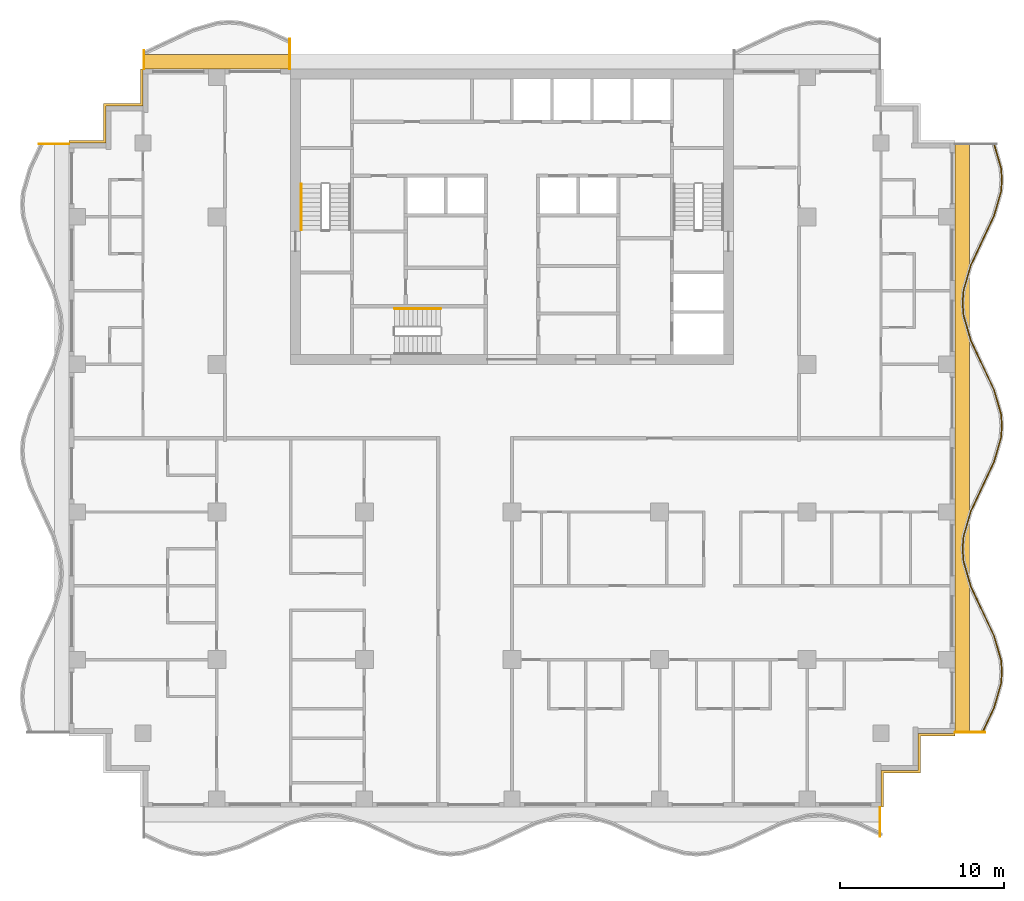
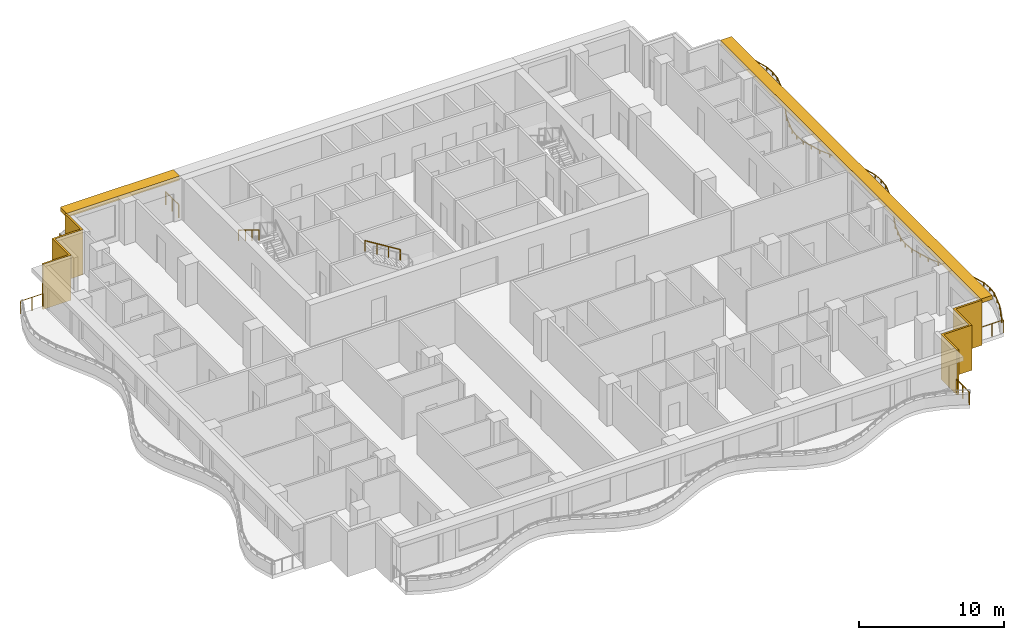
# One storey, part 11 of 12: 8 railings, 4 shading devices.
"""IFC4 building model written with IfcOpenShell, lengths in metres."""

from ifc_helpers import new_model, si_unit, direction, frame, origin, origin_2d, place, context, subcontext, project, spatial, polyline, rectangle, circle, outline, extrude, material, layer, layer_set, type_object, element, save


model = new_model("IFC4")

# Units and contexts
model_context = context("Model", 3, precision=1e-05, world=origin(), true_north=direction((0.0, 1.0)))
body_context = subcontext(model_context, "Body", "Model", "MODEL_VIEW")
ifc_project = project(units=[si_unit("LENGTHUNIT", "METRE"), si_unit("AREAUNIT", "SQUARE_METRE"), si_unit("VOLUMEUNIT", "CUBIC_METRE"), si_unit("PLANEANGLEUNIT", "RADIAN"), si_unit("MASSUNIT", "GRAM", prefix="KILO")], contexts=[model_context])

# Site, building, storey
site_placement = place(None, origin())
site = spatial("IfcSite", under=ifc_project, at=site_placement, CompositionType="ELEMENT")
building_placement = place(site_placement, origin())
building = spatial("IfcBuilding", under=site, at=building_placement, Name="Orbiselva Terraces", CompositionType="ELEMENT")
storey_placement = place(building_placement, frame((0.0, 0.0, 211.0)))
storey = spatial("IfcBuildingStorey", under=building, at=storey_placement, Name="L53", CompositionType="ELEMENT", Elevation=211.0)

# Railings
ifc_material_1 = material(Name="Stainless steel", Category="steel")
railing_type_1 = type_object("IfcRailingType", Name="CORE-HANDRAIL-900", PredefinedType="HANDRAIL", material=ifc_material_1)
railing_1_placement = place(storey_placement, frame((-12.85, 15.5, 2.072727)))
element("IfcRailing", 1, at=railing_1_placement, inside=storey, type_object=railing_type_1, Name="L53 S1 stair handrail 2", PredefinedType="HANDRAIL", context=body_context, shape_type="SweptSolid", body=[
    extrude(circle(Radius=0.024, at=origin_2d()), frame((0.0, 0.0, 0.876), z_axis=(0.0, -0.851088519012, 0.52502222125), x_axis=(1.0, 0.0, 0.0)), (0.0, 0.0, 1.0), 3.289905),
    extrude(circle(Radius=0.021, at=origin_2d()), origin(), (0.0, 0.0, 1.0), 0.852),
    extrude(circle(Radius=0.021, at=origin_2d()), frame((0.0, -0.933333, 0.575758)), (0.0, 0.0, 1.0), 0.852),
    extrude(circle(Radius=0.021, at=origin_2d()), frame((0.0, -1.866667, 1.151515)), (0.0, 0.0, 1.0), 0.852),
    extrude(circle(Radius=0.021, at=origin_2d()), frame((0.0, -2.8, 1.727273)), (0.0, 0.0, 1.0), 0.852),
])
railing_2_placement = place(storey_placement, frame((-4.35, 7.9, 2.072727)))
element("IfcRailing", 2, at=railing_2_placement, inside=storey, type_object=railing_type_1, Name="L53 S3 stair handrail 2", PredefinedType="HANDRAIL", context=body_context, shape_type="SweptSolid", body=[
    extrude(circle(Radius=0.024, at=origin_2d()), frame((0.0, 0.0, 0.876), z_axis=(-0.851088519012, 0.0, 0.52502222125), x_axis=(0.0, -1.0, 0.0)), (0.0, 0.0, 1.0), 3.289905),
    extrude(circle(Radius=0.021, at=origin_2d()), origin(), (0.0, 0.0, 1.0), 0.852),
    extrude(circle(Radius=0.021, at=origin_2d()), frame((-0.933333, 0.0, 0.575758)), (0.0, 0.0, 1.0), 0.852),
    extrude(circle(Radius=0.021, at=origin_2d()), frame((-1.866667, 0.0, 1.151515)), (0.0, 0.0, 1.0), 0.852),
    extrude(circle(Radius=0.021, at=origin_2d()), frame((-2.8, 0.0, 1.727273)), (0.0, 0.0, 1.0), 0.852),
])
ifc_material_2 = material(Name="Bonded two-ply safety glass balustrade, stainless steel posts", Category="steel")
railing_type_2 = type_object("IfcRailingType", Name="ENV-BALUSTRADE-1200", PredefinedType="BALUSTRADE", material=ifc_material_2)
railing_3_placement = place(storey_placement, frame((28.686882, -17.946809, 0.9)))
element("IfcRailing", 3, at=railing_3_placement, inside=storey, type_object=railing_type_2, Name="Balcony balustrade L53 E", PredefinedType="BALUSTRADE", context=body_context, shape_type="SweptSolid", body=[
    extrude(outline(polyline([(0.028868, 0.0), (0.014434, 0.025), (-0.014434, 0.025), (-0.028868, 0.0), (-0.014434, -0.025), (0.014434, -0.025), (0.028868, 0.0)])), frame((0.0, 0.0, 0.275), z_axis=(0.425529912322, 0.904944359461, 0.0), x_axis=(-0.904944359461, 0.425529912322, 0.0)), (0.0, 0.0, 1.0), 1.647746),
    extrude(outline(polyline([(0.028868, 0.0), (0.014434, 0.025), (-0.014434, 0.025), (-0.028868, 0.0), (-0.014434, -0.025), (0.014434, -0.025), (0.028868, 0.0)])), frame((0.701165, 1.491118, 0.275), z_axis=(0.279071528957, 0.960270317007, 0.0), x_axis=(-0.960270317007, 0.279071528957, 0.0)), (0.0, 0.0, 1.0), 1.539408),
    extrude(outline(polyline([(0.028868, 0.0), (0.014434, 0.025), (-0.014434, 0.025), (-0.028868, 0.0), (-0.014434, -0.025), (0.014434, -0.025), (0.028868, 0.0)])), frame((1.13077, 2.969366, 0.275), z_axis=(0.078069536776, 0.996947916106, 0.0), x_axis=(-0.996947916106, 0.078069536776, 0.0)), (0.0, 0.0, 1.0), 0.72967),
    extrude(outline(polyline([(0.028868, 0.0), (0.014434, 0.025), (-0.014434, 0.025), (-0.028868, 0.0), (-0.014434, -0.025), (0.014434, -0.025), (0.028868, 0.0)])), frame((1.187735, 3.696809, 0.275), z_axis=(-0.078069536776, 0.996947916106, 0.0), x_axis=(-0.996947916106, -0.078069536776, 0.0)), (0.0, 0.0, 1.0), 0.72967),
    extrude(outline(polyline([(0.028868, 0.0), (0.014434, 0.025), (-0.014434, 0.025), (-0.028868, 0.0), (-0.014434, -0.025), (0.014434, -0.025), (0.028868, 0.0)])), frame((1.13077, 4.424252, 0.275), z_axis=(-0.279071528957, 0.960270317007, 0.0), x_axis=(-0.960270317007, -0.279071528957, 0.0)), (0.0, 0.0, 1.0), 1.539408),
    extrude(outline(polyline([(0.028868, 0.0), (0.014434, 0.025), (-0.014434, 0.025), (-0.028868, 0.0), (-0.014434, -0.025), (0.014434, -0.025), (0.028868, 0.0)])), frame((0.701165, 5.9025, 0.275), z_axis=(-0.425529912322, 0.904944359461, 0.0), x_axis=(-0.904944359461, -0.425529912322, 0.0)), (0.0, 0.0, 1.0), 1.647746),
    extrude(outline(polyline([(0.028868, 0.0), (0.014434, 0.025), (-0.014434, 0.025), (-0.028868, 0.0), (-0.014434, -0.025), (0.014434, -0.025), (0.028868, 0.0)])), frame((0.0, 7.393618, 0.275), z_axis=(-0.425530342069, 0.904944157382, 0.0), x_axis=(-0.904944157382, -0.425530342069, 0.0)), (0.0, 0.0, 1.0), 1.667376),
    extrude(outline(polyline([(0.028868, 0.0), (0.014434, 0.025), (-0.014434, 0.025), (-0.028868, 0.0), (-0.014434, -0.025), (0.014434, -0.025), (0.028868, 0.0)])), frame((-0.709519, 8.9025, 0.275), z_axis=(-0.279070928786, 0.960270491427, 0.0), x_axis=(-0.960270491427, -0.279070928786, 0.0)), (0.0, 0.0, 1.0), 1.584712),
    extrude(outline(polyline([(0.028868, 0.0), (0.014434, 0.025), (-0.014434, 0.025), (-0.028868, 0.0), (-0.014434, -0.025), (0.014434, -0.025), (0.028868, 0.0)])), frame((-1.151766, 10.424252, 0.275), z_axis=(-0.078071061106, 0.996947796737, 0.0), x_axis=(-0.996947796737, -0.078071061106, 0.0)), (0.0, 0.0, 1.0), 0.774922),
    extrude(outline(polyline([(0.028868, 0.0), (0.014434, 0.025), (-0.014434, 0.025), (-0.028868, 0.0), (-0.014434, -0.025), (0.014434, -0.025), (0.028868, 0.0)])), frame((-1.212265, 11.196809, 0.275), z_axis=(0.078071061106, 0.996947796737, 0.0), x_axis=(-0.996947796737, 0.078071061106, 0.0)), (0.0, 0.0, 1.0), 0.774922),
    extrude(outline(polyline([(0.028868, 0.0), (0.014434, 0.025), (-0.014434, 0.025), (-0.028868, 0.0), (-0.014434, -0.025), (0.014434, -0.025), (0.028868, 0.0)])), frame((-1.151766, 11.969366, 0.275), z_axis=(0.279070928786, 0.960270491427, 0.0), x_axis=(-0.960270491427, 0.279070928786, 0.0)), (0.0, 0.0, 1.0), 1.584712),
    extrude(outline(polyline([(0.028868, 0.0), (0.014434, 0.025), (-0.014434, 0.025), (-0.028868, 0.0), (-0.014434, -0.025), (0.014434, -0.025), (0.028868, 0.0)])), frame((-0.709519, 13.491118, 0.275), z_axis=(0.425530342069, 0.904944157382, 0.0), x_axis=(-0.904944157382, 0.425530342069, 0.0)), (0.0, 0.0, 1.0), 1.667376),
    extrude(outline(polyline([(0.028868, 0.0), (0.014434, 0.025), (-0.014434, 0.025), (-0.028868, 0.0), (-0.014434, -0.025), (0.014434, -0.025), (0.028868, 0.0)])), frame((0.0, 15.0, 0.275), z_axis=(0.425529912322, 0.904944359461, 0.0), x_axis=(-0.904944359461, 0.425529912322, 0.0)), (0.0, 0.0, 1.0), 1.647746),
    extrude(outline(polyline([(0.028868, 0.0), (0.014434, 0.025), (-0.014434, 0.025), (-0.028868, 0.0), (-0.014434, -0.025), (0.014434, -0.025), (0.028868, 0.0)])), frame((0.701165, 16.491118, 0.275), z_axis=(0.279071528957, 0.960270317007, 0.0), x_axis=(-0.960270317007, 0.279071528957, 0.0)), (0.0, 0.0, 1.0), 1.539408),
    extrude(outline(polyline([(0.028868, 0.0), (0.014434, 0.025), (-0.014434, 0.025), (-0.028868, 0.0), (-0.014434, -0.025), (0.014434, -0.025), (0.028868, 0.0)])), frame((1.13077, 17.969366, 0.275), z_axis=(0.078069536776, 0.996947916106, 0.0), x_axis=(-0.996947916106, 0.078069536776, 0.0)), (0.0, 0.0, 1.0), 0.72967),
    extrude(outline(polyline([(0.028868, 0.0), (0.014434, 0.025), (-0.014434, 0.025), (-0.028868, 0.0), (-0.014434, -0.025), (0.014434, -0.025), (0.028868, 0.0)])), frame((1.187735, 18.696809, 0.275), z_axis=(-0.078069536776, 0.996947916106, 0.0), x_axis=(-0.996947916106, -0.078069536776, 0.0)), (0.0, 0.0, 1.0), 0.72967),
    extrude(outline(polyline([(0.028868, 0.0), (0.014434, 0.025), (-0.014434, 0.025), (-0.028868, 0.0), (-0.014434, -0.025), (0.014434, -0.025), (0.028868, 0.0)])), frame((1.13077, 19.424252, 0.275), z_axis=(-0.279071528957, 0.960270317007, 0.0), x_axis=(-0.960270317007, -0.279071528957, 0.0)), (0.0, 0.0, 1.0), 1.539408),
    extrude(outline(polyline([(0.028868, 0.0), (0.014434, 0.025), (-0.014434, 0.025), (-0.028868, 0.0), (-0.014434, -0.025), (0.014434, -0.025), (0.028868, 0.0)])), frame((0.701165, 20.9025, 0.275), z_axis=(-0.425529912322, 0.904944359461, 0.0), x_axis=(-0.904944359461, -0.425529912322, 0.0)), (0.0, 0.0, 1.0), 1.647746),
    extrude(outline(polyline([(0.028868, 0.0), (0.014434, 0.025), (-0.014434, 0.025), (-0.028868, 0.0), (-0.014434, -0.025), (0.014434, -0.025), (0.028868, 0.0)])), frame((0.0, 22.393618, 0.275), z_axis=(-0.425530342069, 0.904944157382, 0.0), x_axis=(-0.904944157382, -0.425530342069, 0.0)), (0.0, 0.0, 1.0), 1.667376),
    extrude(outline(polyline([(0.028868, 0.0), (0.014434, 0.025), (-0.014434, 0.025), (-0.028868, 0.0), (-0.014434, -0.025), (0.014434, -0.025), (0.028868, 0.0)])), frame((-0.709519, 23.9025, 0.275), z_axis=(-0.279070928786, 0.960270491427, 0.0), x_axis=(-0.960270491427, -0.279070928786, 0.0)), (0.0, 0.0, 1.0), 1.584712),
    extrude(outline(polyline([(0.028868, 0.0), (0.014434, 0.025), (-0.014434, 0.025), (-0.028868, 0.0), (-0.014434, -0.025), (0.014434, -0.025), (0.028868, 0.0)])), frame((-1.151766, 25.424252, 0.275), z_axis=(-0.078071061106, 0.996947796737, 0.0), x_axis=(-0.996947796737, -0.078071061106, 0.0)), (0.0, 0.0, 1.0), 0.774922),
    extrude(outline(polyline([(0.028868, 0.0), (0.014434, 0.025), (-0.014434, 0.025), (-0.028868, 0.0), (-0.014434, -0.025), (0.014434, -0.025), (0.028868, 0.0)])), frame((-1.212265, 26.196809, 0.275), z_axis=(0.078071061106, 0.996947796737, 0.0), x_axis=(-0.996947796737, 0.078071061106, 0.0)), (0.0, 0.0, 1.0), 0.774922),
    extrude(outline(polyline([(0.028868, 0.0), (0.014434, 0.025), (-0.014434, 0.025), (-0.028868, 0.0), (-0.014434, -0.025), (0.014434, -0.025), (0.028868, 0.0)])), frame((-1.151766, 26.969366, 0.275), z_axis=(0.279070928786, 0.960270491427, 0.0), x_axis=(-0.960270491427, 0.279070928786, 0.0)), (0.0, 0.0, 1.0), 1.584712),
    extrude(outline(polyline([(0.028868, 0.0), (0.014434, 0.025), (-0.014434, 0.025), (-0.028868, 0.0), (-0.014434, -0.025), (0.014434, -0.025), (0.028868, 0.0)])), frame((-0.709519, 28.491118, 0.275), z_axis=(0.425530342069, 0.904944157382, 0.0), x_axis=(-0.904944157382, 0.425530342069, 0.0)), (0.0, 0.0, 1.0), 1.667376),
    extrude(outline(polyline([(0.028868, 0.0), (0.014434, 0.025), (-0.014434, 0.025), (-0.028868, 0.0), (-0.014434, -0.025), (0.014434, -0.025), (0.028868, 0.0)])), frame((0.0, 30.0, 0.275), z_axis=(0.425529912322, 0.904944359461, 0.0), x_axis=(-0.904944359461, 0.425529912322, 0.0)), (0.0, 0.0, 1.0), 1.647746),
    extrude(outline(polyline([(0.028868, 0.0), (0.014434, 0.025), (-0.014434, 0.025), (-0.028868, 0.0), (-0.014434, -0.025), (0.014434, -0.025), (0.028868, 0.0)])), frame((0.701165, 31.491118, 0.275), z_axis=(0.279071528957, 0.960270317007, 0.0), x_axis=(-0.960270317007, 0.279071528957, 0.0)), (0.0, 0.0, 1.0), 1.539408),
    extrude(outline(polyline([(0.028868, 0.0), (0.014434, 0.025), (-0.014434, 0.025), (-0.028868, 0.0), (-0.014434, -0.025), (0.014434, -0.025), (0.028868, 0.0)])), frame((1.13077, 32.969366, 0.275), z_axis=(0.078069536776, 0.996947916106, 0.0), x_axis=(-0.996947916106, 0.078069536776, 0.0)), (0.0, 0.0, 1.0), 0.72967),
    extrude(outline(polyline([(0.028868, 0.0), (0.014434, 0.025), (-0.014434, 0.025), (-0.028868, 0.0), (-0.014434, -0.025), (0.014434, -0.025), (0.028868, 0.0)])), frame((1.187735, 33.696809, 0.275), z_axis=(-0.078069536776, 0.996947916106, 0.0), x_axis=(-0.996947916106, -0.078069536776, 0.0)), (0.0, 0.0, 1.0), 0.72967),
    extrude(outline(polyline([(0.028868, 0.0), (0.014434, 0.025), (-0.014434, 0.025), (-0.028868, 0.0), (-0.014434, -0.025), (0.014434, -0.025), (0.028868, 0.0)])), frame((1.13077, 34.424252, 0.275), z_axis=(-0.279071486336, 0.960270329394, 0.0), x_axis=(-0.960270329394, -0.279071486336, 0.0)), (0.0, 0.0, 1.0), 1.549223),
    extrude(rectangle(XDim=0.05, YDim=0.05, at=origin_2d()), origin(), (0.0, 0.0, 1.0), 0.25),
    extrude(rectangle(XDim=0.05, YDim=0.05, at=origin_2d()), frame((0.350582, 0.745559, 0.0)), (0.0, 0.0, 1.0), 0.25),
    extrude(rectangle(XDim=0.05, YDim=0.05, at=origin_2d()), frame((0.701165, 1.491118, 0.0)), (0.0, 0.0, 1.0), 0.25),
    extrude(rectangle(XDim=0.05, YDim=0.05, at=origin_2d()), frame((0.915967, 2.230242, 0.0)), (0.0, 0.0, 1.0), 0.25),
    extrude(rectangle(XDim=0.05, YDim=0.05, at=origin_2d()), frame((1.13077, 2.969366, 0.0)), (0.0, 0.0, 1.0), 0.25),
    extrude(rectangle(XDim=0.05, YDim=0.05, at=origin_2d()), frame((1.187735, 3.696809, 0.0)), (0.0, 0.0, 1.0), 0.25),
    extrude(rectangle(XDim=0.05, YDim=0.05, at=origin_2d()), frame((1.13077, 4.424252, 0.0)), (0.0, 0.0, 1.0), 0.25),
    extrude(rectangle(XDim=0.05, YDim=0.05, at=origin_2d()), frame((0.915967, 5.163376, 0.0)), (0.0, 0.0, 1.0), 0.25),
    extrude(rectangle(XDim=0.05, YDim=0.05, at=origin_2d()), frame((0.701165, 5.9025, 0.0)), (0.0, 0.0, 1.0), 0.25),
    extrude(rectangle(XDim=0.05, YDim=0.05, at=origin_2d()), frame((0.350582, 6.648059, 0.0)), (0.0, 0.0, 1.0), 0.25),
    extrude(rectangle(XDim=0.05, YDim=0.05, at=origin_2d()), frame((0.0, 7.393618, 0.0)), (0.0, 0.0, 1.0), 0.25),
    extrude(rectangle(XDim=0.05, YDim=0.05, at=origin_2d()), frame((-0.35476, 8.148059, 0.0)), (0.0, 0.0, 1.0), 0.25),
    extrude(rectangle(XDim=0.05, YDim=0.05, at=origin_2d()), frame((-0.709519, 8.9025, 0.0)), (0.0, 0.0, 1.0), 0.25),
    extrude(rectangle(XDim=0.05, YDim=0.05, at=origin_2d()), frame((-0.930643, 9.663376, 0.0)), (0.0, 0.0, 1.0), 0.25),
    extrude(rectangle(XDim=0.05, YDim=0.05, at=origin_2d()), frame((-1.151766, 10.424252, 0.0)), (0.0, 0.0, 1.0), 0.25),
    extrude(rectangle(XDim=0.05, YDim=0.05, at=origin_2d()), frame((-1.212265, 11.196809, 0.0)), (0.0, 0.0, 1.0), 0.25),
    extrude(rectangle(XDim=0.05, YDim=0.05, at=origin_2d()), frame((-1.151766, 11.969366, 0.0)), (0.0, 0.0, 1.0), 0.25),
    extrude(rectangle(XDim=0.05, YDim=0.05, at=origin_2d()), frame((-0.930643, 12.730242, 0.0)), (0.0, 0.0, 1.0), 0.25),
    extrude(rectangle(XDim=0.05, YDim=0.05, at=origin_2d()), frame((-0.709519, 13.491118, 0.0)), (0.0, 0.0, 1.0), 0.25),
    extrude(rectangle(XDim=0.05, YDim=0.05, at=origin_2d()), frame((-0.35476, 14.245559, 0.0)), (0.0, 0.0, 1.0), 0.25),
    extrude(rectangle(XDim=0.05, YDim=0.05, at=origin_2d()), frame((0.0, 15.0, 0.0)), (0.0, 0.0, 1.0), 0.25),
    extrude(rectangle(XDim=0.05, YDim=0.05, at=origin_2d()), frame((0.350582, 15.745559, 0.0)), (0.0, 0.0, 1.0), 0.25),
    extrude(rectangle(XDim=0.05, YDim=0.05, at=origin_2d()), frame((0.701165, 16.491118, 0.0)), (0.0, 0.0, 1.0), 0.25),
    extrude(rectangle(XDim=0.05, YDim=0.05, at=origin_2d()), frame((0.915967, 17.230242, 0.0)), (0.0, 0.0, 1.0), 0.25),
    extrude(rectangle(XDim=0.05, YDim=0.05, at=origin_2d()), frame((1.13077, 17.969366, 0.0)), (0.0, 0.0, 1.0), 0.25),
    extrude(rectangle(XDim=0.05, YDim=0.05, at=origin_2d()), frame((1.187735, 18.696809, 0.0)), (0.0, 0.0, 1.0), 0.25),
    extrude(rectangle(XDim=0.05, YDim=0.05, at=origin_2d()), frame((1.13077, 19.424252, 0.0)), (0.0, 0.0, 1.0), 0.25),
    extrude(rectangle(XDim=0.05, YDim=0.05, at=origin_2d()), frame((0.915967, 20.163376, 0.0)), (0.0, 0.0, 1.0), 0.25),
    extrude(rectangle(XDim=0.05, YDim=0.05, at=origin_2d()), frame((0.701165, 20.9025, 0.0)), (0.0, 0.0, 1.0), 0.25),
    extrude(rectangle(XDim=0.05, YDim=0.05, at=origin_2d()), frame((0.350582, 21.648059, 0.0)), (0.0, 0.0, 1.0), 0.25),
    extrude(rectangle(XDim=0.05, YDim=0.05, at=origin_2d()), frame((0.0, 22.393618, 0.0)), (0.0, 0.0, 1.0), 0.25),
    extrude(rectangle(XDim=0.05, YDim=0.05, at=origin_2d()), frame((-0.35476, 23.148059, 0.0)), (0.0, 0.0, 1.0), 0.25),
    extrude(rectangle(XDim=0.05, YDim=0.05, at=origin_2d()), frame((-0.709519, 23.9025, 0.0)), (0.0, 0.0, 1.0), 0.25),
    extrude(rectangle(XDim=0.05, YDim=0.05, at=origin_2d()), frame((-0.930643, 24.663376, 0.0)), (0.0, 0.0, 1.0), 0.25),
    extrude(rectangle(XDim=0.05, YDim=0.05, at=origin_2d()), frame((-1.151766, 25.424252, 0.0)), (0.0, 0.0, 1.0), 0.25),
    extrude(rectangle(XDim=0.05, YDim=0.05, at=origin_2d()), frame((-1.212265, 26.196809, 0.0)), (0.0, 0.0, 1.0), 0.25),
    extrude(rectangle(XDim=0.05, YDim=0.05, at=origin_2d()), frame((-1.151766, 26.969366, 0.0)), (0.0, 0.0, 1.0), 0.25),
    extrude(rectangle(XDim=0.05, YDim=0.05, at=origin_2d()), frame((-0.930643, 27.730242, 0.0)), (0.0, 0.0, 1.0), 0.25),
    extrude(rectangle(XDim=0.05, YDim=0.05, at=origin_2d()), frame((-0.709519, 28.491118, 0.0)), (0.0, 0.0, 1.0), 0.25),
    extrude(rectangle(XDim=0.05, YDim=0.05, at=origin_2d()), frame((-0.35476, 29.245559, 0.0)), (0.0, 0.0, 1.0), 0.25),
    extrude(rectangle(XDim=0.05, YDim=0.05, at=origin_2d()), frame((0.0, 30.0, 0.0)), (0.0, 0.0, 1.0), 0.25),
    extrude(rectangle(XDim=0.05, YDim=0.05, at=origin_2d()), frame((0.350582, 30.745559, 0.0)), (0.0, 0.0, 1.0), 0.25),
    extrude(rectangle(XDim=0.05, YDim=0.05, at=origin_2d()), frame((0.701165, 31.491118, 0.0)), (0.0, 0.0, 1.0), 0.25),
    extrude(rectangle(XDim=0.05, YDim=0.05, at=origin_2d()), frame((0.915967, 32.230242, 0.0)), (0.0, 0.0, 1.0), 0.25),
    extrude(rectangle(XDim=0.05, YDim=0.05, at=origin_2d()), frame((1.13077, 32.969366, 0.0)), (0.0, 0.0, 1.0), 0.25),
    extrude(rectangle(XDim=0.05, YDim=0.05, at=origin_2d()), frame((1.187735, 33.696809, 0.0)), (0.0, 0.0, 1.0), 0.25),
    extrude(rectangle(XDim=0.05, YDim=0.05, at=origin_2d()), frame((1.13077, 34.424252, 0.0)), (0.0, 0.0, 1.0), 0.25),
    extrude(rectangle(XDim=0.05, YDim=0.05, at=origin_2d()), frame((0.914598, 35.168088, 0.0)), (0.0, 0.0, 1.0), 0.25),
    extrude(rectangle(XDim=0.05, YDim=0.05, at=origin_2d()), frame((0.698426, 35.911925, 0.0)), (0.0, 0.0, 1.0), 0.25),
])
ifc_material_3 = material(Name="Stainless steel rail and posts", Category="steel")
railing_type_3 = type_object("IfcRailingType", Name="ENV-GUARD-1105", PredefinedType="BALUSTRADE", material=ifc_material_3)
railing_4_placement = place(storey_placement, frame((22.44, -24.269844, 0.0)))
element("IfcRailing", 4, at=railing_4_placement, inside=storey, type_object=railing_type_3, Name="Balcony end guard L53 S", PredefinedType="BALUSTRADE", context=body_context, shape_type="SweptSolid", body=[
    extrude(outline(polyline([(0.028868, 0.0), (0.014434, 0.025), (-0.014434, 0.025), (-0.028868, 0.0), (-0.014434, -0.025), (0.014434, -0.025), (0.028868, 0.0)])), frame((0.0, 0.0, 1.08), z_axis=(0.0, 1.0, 0.0), x_axis=(-1.0, 0.0, 0.0)), (0.0, 0.0, 1.0), 1.744844),
    extrude(rectangle(XDim=0.05, YDim=0.05, at=origin_2d()), origin(), (0.0, 0.0, 1.0), 1.055),
    extrude(rectangle(XDim=0.05, YDim=0.05, at=origin_2d()), frame((0.0, 0.872422, 0.0)), (0.0, 0.0, 1.0), 1.055),
    extrude(rectangle(XDim=0.05, YDim=0.05, at=origin_2d()), frame((0.0, 1.744844, 0.0)), (0.0, 0.0, 1.0), 1.055),
])
railing_5_placement = place(storey_placement, frame((28.830156, -17.94, 0.0)))
element("IfcRailing", 5, at=railing_5_placement, inside=storey, type_object=railing_type_3, Name="Balcony end guard L53 E", PredefinedType="BALUSTRADE", context=body_context, shape_type="SweptSolid", body=[
    extrude(outline(polyline([(0.028868, 0.0), (0.014434, 0.025), (-0.014434, 0.025), (-0.028868, 0.0), (-0.014434, -0.025), (0.014434, -0.025), (0.028868, 0.0)])), frame((0.0, 0.0, 1.08), z_axis=(-1.0, 0.0, 0.0), x_axis=(0.0, -1.0, 0.0)), (0.0, 0.0, 1.0), 1.805156),
    extrude(rectangle(XDim=0.05, YDim=0.05, at=origin_2d()), origin(), (0.0, 0.0, 1.0), 1.055),
    extrude(rectangle(XDim=0.05, YDim=0.05, at=origin_2d()), frame((-0.902578, 0.0, 0.0)), (0.0, 0.0, 1.0), 1.055),
    extrude(rectangle(XDim=0.05, YDim=0.05, at=origin_2d()), frame((-1.805156, 0.0, 0.0)), (0.0, 0.0, 1.0), 1.055),
])
railing_6_placement = place(storey_placement, frame((-13.56, 24.330156, 0.0)))
element("IfcRailing", 6, at=railing_6_placement, inside=storey, type_object=railing_type_3, Name="Balcony end guard L53 NW", PredefinedType="BALUSTRADE", context=body_context, shape_type="SweptSolid", body=[
    extrude(outline(polyline([(0.028868, 0.0), (0.014434, 0.025), (-0.014434, 0.025), (-0.028868, 0.0), (-0.014434, -0.025), (0.014434, -0.025), (0.028868, 0.0)])), frame((0.0, 0.0, 1.08), z_axis=(0.0, -1.0, 0.0), x_axis=(1.0, 0.0, 0.0)), (0.0, 0.0, 1.0), 1.805156),
    extrude(rectangle(XDim=0.05, YDim=0.05, at=origin_2d()), origin(), (0.0, 0.0, 1.0), 1.055),
    extrude(rectangle(XDim=0.05, YDim=0.05, at=origin_2d()), frame((0.0, -0.902578, 0.0)), (0.0, 0.0, 1.0), 1.055),
    extrude(rectangle(XDim=0.05, YDim=0.05, at=origin_2d()), frame((0.0, -1.805156, 0.0)), (0.0, 0.0, 1.0), 1.055),
])
railing_7_placement = place(storey_placement, frame((-22.44, 23.619277, 0.0)))
element("IfcRailing", 7, at=railing_7_placement, inside=storey, type_object=railing_type_3, Name="Balcony end guard L53 NW", PredefinedType="BALUSTRADE", context=body_context, shape_type="SweptSolid", body=[
    extrude(outline(polyline([(0.028868, 0.0), (0.014434, 0.025), (-0.014434, 0.025), (-0.028868, 0.0), (-0.014434, -0.025), (0.014434, -0.025), (0.028868, 0.0)])), frame((0.0, 0.0, 1.08), z_axis=(0.0, -1.0, 0.0), x_axis=(1.0, 0.0, 0.0)), (0.0, 0.0, 1.0), 1.094277),
    extrude(rectangle(XDim=0.05, YDim=0.05, at=origin_2d()), origin(), (0.0, 0.0, 1.0), 1.055),
    extrude(rectangle(XDim=0.05, YDim=0.05, at=origin_2d()), frame((0.0, -1.094277, 0.0)), (0.0, 0.0, 1.0), 1.055),
])
railing_8_placement = place(storey_placement, frame((-28.830156, 17.94, 0.0)))
element("IfcRailing", 8, at=railing_8_placement, inside=storey, type_object=railing_type_3, Name="Balcony end guard L53 W", PredefinedType="BALUSTRADE", context=body_context, shape_type="SweptSolid", body=[
    extrude(outline(polyline([(0.028868, 0.0), (0.014434, 0.025), (-0.014434, 0.025), (-0.028868, 0.0), (-0.014434, -0.025), (0.014434, -0.025), (0.028868, 0.0)])), frame((0.0, 0.0, 1.08), z_axis=(1.0, 0.0, 0.0), x_axis=(0.0, 1.0, 0.0)), (0.0, 0.0, 1.0), 1.805156),
    extrude(rectangle(XDim=0.05, YDim=0.05, at=origin_2d()), origin(), (0.0, 0.0, 1.0), 1.055),
    extrude(rectangle(XDim=0.05, YDim=0.05, at=origin_2d()), frame((0.902578, 0.0, 0.0)), (0.0, 0.0, 1.0), 1.055),
    extrude(rectangle(XDim=0.05, YDim=0.05, at=origin_2d()), frame((1.805156, 0.0, 0.0)), (0.0, 0.0, 1.0), 1.055),
])

# Shading devices
ifc_material_4 = material(Name="Terracotta louvre screen", Category="masonry")
ifc_layer_1 = layer(ifc_material_4, 0.15)
ifc_layer_set_1 = layer_set([ifc_layer_1], Name="Terracotta louvre screen")
shading_device_type_1 = type_object("IfcShadingDeviceType", Name="ENV-SCREEN-150", PredefinedType="USERDEFINED", material=ifc_layer_set_1)
shading_device_1_placement = place(storey_placement, frame((0.0, 0.0, -0.3)))
element("IfcShadingDevice", 9, at=shading_device_1_placement, inside=storey, type_object=shading_device_type_1, Name="Louvre screen L53 NW", ObjectType="SCREEN", PredefinedType="USERDEFINED", context=body_context, shape_type="SweptSolid", body=[
    extrude(outline(polyline([(-22.65, 22.5), (-22.65, 20.4), (-24.9, 20.4), (-24.9, 18.15), (-27.0, 18.15), (-27.0, 18.0), (-24.75, 18.0), (-24.75, 20.25), (-22.5, 20.25), (-22.5, 22.5), (-22.65, 22.5)])), origin(), (0.0, 0.0, 1.0), 3.8),
])
shading_device_2_placement = place(storey_placement, frame((0.0, 0.0, -0.3)))
element("IfcShadingDevice", 10, at=shading_device_2_placement, inside=storey, type_object=shading_device_type_1, Name="Louvre screen L53 SE", ObjectType="SCREEN", PredefinedType="USERDEFINED", context=body_context, shape_type="SweptSolid", body=[
    extrude(outline(polyline([(22.65, -22.5), (22.65, -20.4), (24.9, -20.4), (24.9, -18.15), (27.0, -18.15), (27.0, -18.0), (24.75, -18.0), (24.75, -20.25), (22.5, -20.25), (22.5, -22.5), (22.65, -22.5)])), origin(), (0.0, 0.0, 1.0), 3.8),
])
ifc_material_5 = material(Name="Terracotta baguette sunshade", Category="masonry")
ifc_layer_2 = layer(ifc_material_5, 0.35)
ifc_layer_set_2 = layer_set([ifc_layer_2], Name="Terracotta baguette sunshade")
shading_device_type_2 = type_object("IfcShadingDeviceType", Name="ENV-SUNSHADE-900x350", PredefinedType="USERDEFINED", material=ifc_layer_set_2)
shading_device_3_placement = place(storey_placement, frame((0.0, 0.0, 3.15)))
element("IfcShadingDevice", 11, at=shading_device_3_placement, inside=storey, type_object=shading_device_type_2, Name="Sunshade band L53 E", ObjectType="SUNSHADE", PredefinedType="USERDEFINED", context=body_context, shape_type="SweptSolid", body=[
    extrude(outline(polyline([(27.9, -18.0), (27.9, 18.0), (27.0, 18.0), (27.0, -18.0), (27.9, -18.0)])), origin(), (0.0, 0.0, 1.0), 0.35),
])
shading_device_4_placement = place(storey_placement, frame((0.0, 0.0, 3.15)))
element("IfcShadingDevice", 12, at=shading_device_4_placement, inside=storey, type_object=shading_device_type_2, Name="Sunshade band L53 NW", ObjectType="SUNSHADE", PredefinedType="USERDEFINED", context=body_context, shape_type="SweptSolid", body=[
    extrude(outline(polyline([(-13.5, 23.4), (-22.5, 23.4), (-22.5, 22.5), (-13.5, 22.5), (-13.5, 23.4)])), origin(), (0.0, 0.0, 1.0), 0.35),
])

save(model, "model.ifc")
